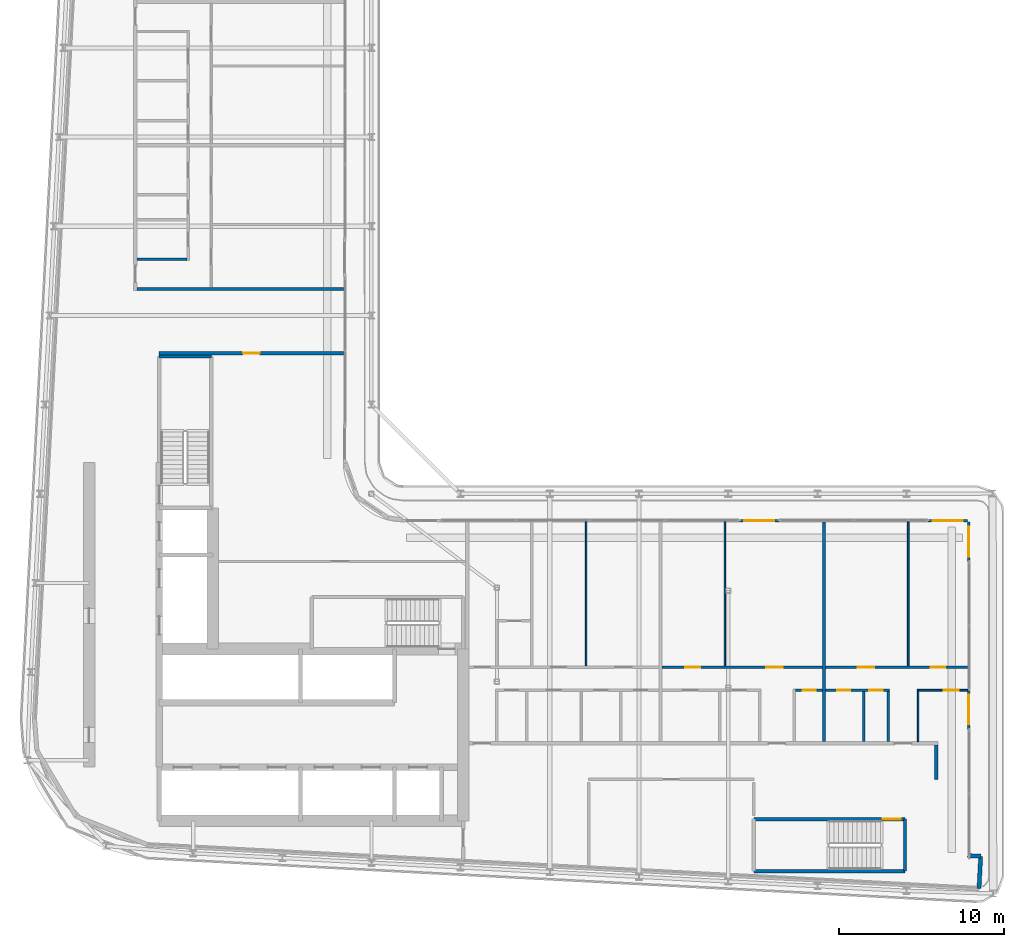
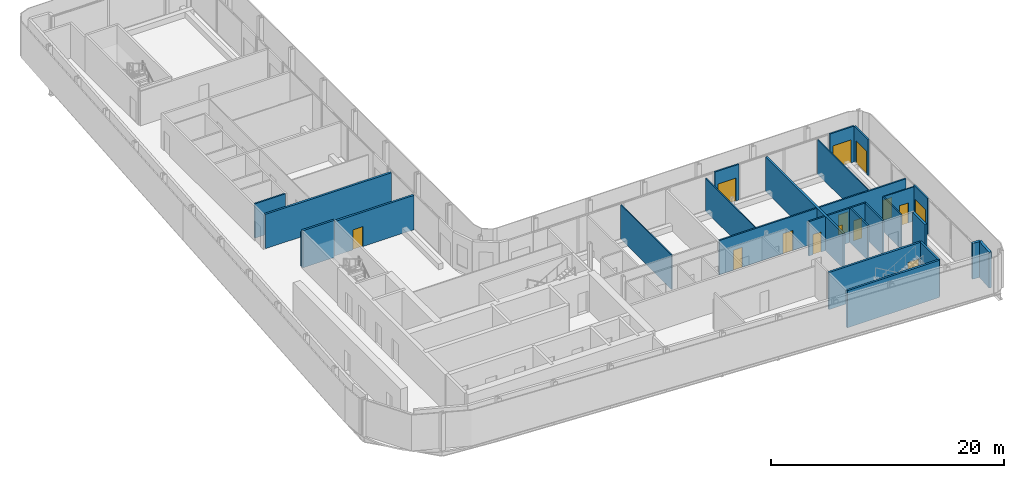
# One storey, part 12 of 21: 26 walls, 14 doors, 14 openings.
"""IFC4 building model written with IfcOpenShell, lengths in metres."""

from ifc_helpers import new_model, si_unit, direction, frame, frame_2d, origin, place, context, subcontext, project, spatial, rectangle, extrude, source, transform, mapped, material, layer, layer_set, type_object, element, fill, save


model = new_model("IFC4")

# Units and contexts
model_context = context("Model", 3, precision=1e-05, world=origin(), true_north=direction((0.0, 1.0)))
body_context = subcontext(model_context, "Body", "Model", "MODEL_VIEW")
ifc_project = project(units=[si_unit("LENGTHUNIT", "METRE"), si_unit("AREAUNIT", "SQUARE_METRE"), si_unit("VOLUMEUNIT", "CUBIC_METRE"), si_unit("PLANEANGLEUNIT", "RADIAN"), si_unit("MASSUNIT", "GRAM", prefix="KILO")], contexts=[model_context])

# Site, building, storey
site_placement = place(None, origin())
site = spatial("IfcSite", under=ifc_project, at=site_placement, CompositionType="ELEMENT")
building_placement = place(site_placement, origin())
building = spatial("IfcBuilding", under=site, at=building_placement, Name="Kheshtan School and Residences Tower", CompositionType="ELEMENT")
storey_placement = place(building_placement, frame((0.0, 0.0, 231.800048828125)))
storey = spatial("IfcBuildingStorey", under=building, at=storey_placement, Name="L54", CompositionType="ELEMENT", Elevation=231.800048828125)

# Wall
ifc_material_1 = material(Name="Gypsum board on steel studs with fire boards", Category="steel")
ifc_layer_1 = layer(ifc_material_1, 0.199951171875)
ifc_layer_set_1 = layer_set([ifc_layer_1], Name="Corridor wall 200")
wall_type_1 = type_object("IfcWallType", Name="Corridor wall 200", PredefinedType="PARTITIONING", material=ifc_layer_set_1)
wall_1_placement = place(storey_placement, frame((33.39990234375, 58.0, 0.0), z_axis=(0.0, 0.0, 1.0), x_axis=(1.0, 0.0, 0.0)))
element("IfcWall", 1, at=wall_1_placement, inside=storey, type_object=wall_type_1, Name="Partition L54-005", PredefinedType="PARTITIONING", context=body_context, shape_type="SweptSolid", body=[
    extrude(rectangle(XDim=12.5, YDim=0.199951171875, at=frame_2d((6.25, 0.0))), origin(), (0.0, 0.0, 1.0), 3.599853515625),
])

# Wall, opening, door
wall_2_placement = place(storey_placement, frame((34.75, 54.10009765625, 0.0), z_axis=(0.0, 0.0, 1.0), x_axis=(1.0, 0.0, 0.0)))
wall_2 = element("IfcWall", 2, at=wall_2_placement, inside=storey, type_object=wall_type_1, Name="Partition L54-014", PredefinedType="PARTITIONING", context=body_context, shape_type="SweptSolid", body=[
    extrude(rectangle(XDim=11.14990234375, YDim=0.199951171875, at=frame_2d((5.574951171875, 0.0))), origin(), (0.0, 0.0, 1.0), 3.599853515625),
])
opening_1_placement = place(wall_2_placement, frame((5.074951171875, 0.0, 0.0)))
opening_1 = element("IfcOpeningElement", 3, at=opening_1_placement, cuts=wall_2, Name="Opening D54-037", PredefinedType="OPENING", context=body_context, shape_type="SweptSolid", body=[
    extrude(rectangle(XDim=1.0, YDim=2.10009765625, at=frame_2d((0.5, 1.050048828125))), frame((0.0, 0.10986328125, 0.0), z_axis=(0.0, -1.0, 0.0), x_axis=(1.0, 0.0, 0.0)), (0.0, 0.0, 1.0), 0.219970703125),
])
ifc_material_2 = material(Name="Steel-framed fire-resisting door leaf", Category="steel")
door_type_1 = type_object("IfcDoorType", Name="Fire door FD60 1000 x 2100", OperationType="SINGLE_SWING_LEFT", PredefinedType="DOOR", material=ifc_material_2)
shared_shape_1 = source(origin(), body_context, "Body", "SweptSolid", [
    extrude(rectangle(XDim=1.0, YDim=2.10009765625, at=frame_2d((0.5, 1.050048828125))), frame((0.0, 0.02490234375, 0.0), z_axis=(0.0, -1.0, 0.0), x_axis=(1.0, 0.0, 0.0)), (0.0, 0.0, 1.0), 0.050048828125),
])
door_1_placement = place(opening_1_placement, origin())
door_1 = element("IfcDoor", 4, at=door_1_placement, inside=storey, type_object=door_type_1, Name="Door D54-037", OperationType="SINGLE_SWING_RIGHT", OverallHeight=2.10009765625, OverallWidth=1.0, PredefinedType="DOOR", context=body_context, shape_type="MappedRepresentation", body=[
    mapped(shared_shape_1, transform((0.0, 0.0, 0.0), x_axis=(1.0, 0.0, 0.0), y_axis=(0.0, 1.0, 0.0), z_axis=(0.0, 0.0, 1.0), scale=1.0)),
])
fill(opening_1, door_1)

# Walls
wall_3_placement = place(storey_placement, frame((81.800048828125, 28.300048828125, 0.0), z_axis=(0.0, 0.0, 1.0), x_axis=(0.0, 1.0, 0.0)))
element("IfcWall", 5, at=wall_3_placement, inside=storey, type_object=wall_type_1, Name="Partition L54-051", PredefinedType="PARTITIONING", context=body_context, shape_type="SweptSolid", body=[
    extrude(rectangle(XDim=2.099853515625, YDim=0.199951171875, at=frame_2d((1.0498046875, 0.0))), origin(), (0.0, 0.0, 1.0), 3.599853515625),
])
ifc_material_3 = material(Name="Concrete C40/50 with ceramic cladding and mineral wool insulation", Category="concrete")
ifc_layer_2 = layer(ifc_material_3, 0.25)
ifc_layer_set_2 = layer_set([ifc_layer_2], Name="External wall 250 ceramic clad")
wall_type_2 = type_object("IfcWallType", Name="External wall 250 ceramic clad", PredefinedType="SOLIDWALL", material=ifc_layer_set_2)
wall_4_placement = place(storey_placement, frame((83.70703125, 23.69189453125, 0.0), z_axis=(0.0, 0.0, 1.0), x_axis=(0.998561284263, -0.053622398031, 0.0)))
element("IfcWall", 6, at=wall_4_placement, inside=storey, type_object=wall_type_2, Name="External wall L54 10", PredefinedType="SOLIDWALL", context=body_context, shape_type="SweptSolid", body=[
    extrude(rectangle(XDim=0.783203125, YDim=0.25, at=frame_2d((0.3916015625, 0.0))), origin(), (0.0, 0.0, 1.0), 3.75),
])
wall_5_placement = place(storey_placement, frame((84.489013671875, 23.64990234375, 0.0), z_axis=(0.0, 0.0, 1.0), x_axis=(-0.052841433274, -0.998602915542, 0.0)))
element("IfcWall", 7, at=wall_5_placement, inside=storey, type_object=wall_type_2, Name="External wall L54 11", PredefinedType="SOLIDWALL", context=body_context, shape_type="SweptSolid", body=[
    extrude(rectangle(XDim=1.94970703125, YDim=0.25, at=frame_2d((0.974853515625, 0.0))), origin(), (0.0, 0.0, 1.0), 3.75),
])

# Wall, opening, door
ifc_material_4 = material(Name="Aluminium frame wall with insulated infill", Category="aluminium")
ifc_layer_3 = layer(ifc_material_4, 0.14990234375)
ifc_layer_set_3 = layer_set([ifc_layer_3], Name="Glazing frame wall 150")
wall_type_3 = type_object("IfcWallType", Name="Glazing frame wall 150", PredefinedType="SOLIDWALL", material=ifc_layer_set_3)
wall_6_placement = place(storey_placement, frame((69.876953125, 43.97509765625, 0.0), z_axis=(0.0, 0.0, 1.0), x_axis=(1.0, 0.0, 0.0)))
wall_6 = element("IfcWall", 8, at=wall_6_placement, inside=storey, type_object=wall_type_3, Name="Balcony door wall L54 8.2", PredefinedType="SOLIDWALL", context=body_context, shape_type="SweptSolid", body=[
    extrude(rectangle(XDim=2.400146484375, YDim=0.14990234375, at=frame_2d((1.2001953125, 0.0))), origin(), (0.0, 0.0, 1.0), 3.75),
])
opening_2_placement = place(wall_6_placement, frame((0.300048828125, 0.0, 0.0)))
opening_2 = element("IfcOpeningElement", 9, at=opening_2_placement, cuts=wall_6, Name="Opening BD", PredefinedType="OPENING", context=body_context, shape_type="SweptSolid", body=[
    extrude(rectangle(XDim=1.800048828125, YDim=2.39990234375, at=frame_2d((0.89990234375, 1.199951171875))), frame((0.0, 0.0849609375, 0.0), z_axis=(0.0, -1.0, 0.0), x_axis=(1.0, 0.0, 0.0)), (0.0, 0.0, 1.0), 0.169921875),
])
ifc_material_5 = material(Name="Clear low-e glass in thermally broken aluminium frame", Category="aluminium")
door_type_2 = type_object("IfcDoorType", Name="Balcony sliding door", OperationType="SLIDING_TO_LEFT", PredefinedType="DOOR", material=ifc_material_5)
shared_shape_2 = source(origin(), body_context, "Body", "SweptSolid", [
    extrude(rectangle(XDim=1.800048828125, YDim=2.39990234375, at=frame_2d((0.89990234375, 1.199951171875))), frame((0.0, 0.02490234375, 0.0), z_axis=(0.0, -1.0, 0.0), x_axis=(1.0, 0.0, 0.0)), (0.0, 0.0, 1.0), 0.050048828125),
])
door_2_placement = place(opening_2_placement, origin())
door_2 = element("IfcDoor", 10, at=door_2_placement, inside=storey, type_object=door_type_2, Name="Balcony door L54 8.2", OperationType="SLIDING_TO_LEFT", OverallHeight=2.39990234375, OverallWidth=1.800048828125, PredefinedType="DOOR", context=body_context, shape_type="MappedRepresentation", body=[
    mapped(shared_shape_2, transform((0.0, 0.0, 0.0), x_axis=(1.0, 0.0, 0.0), y_axis=(0.0, 1.0, 0.0), z_axis=(0.0, 0.0, 1.0), scale=1.0)),
])
fill(opening_2, door_2)

wall_7_placement = place(storey_placement, frame((81.300048828125, 43.97509765625, 0.0), z_axis=(0.0, 0.0, 1.0), x_axis=(1.0, 0.0, 0.0)))
wall_7 = element("IfcWall", 11, at=wall_7_placement, inside=storey, type_object=wall_type_3, Name="Balcony door wall L54 8.3", PredefinedType="SOLIDWALL", context=body_context, shape_type="SweptSolid", body=[
    extrude(rectangle(XDim=2.39990234375, YDim=0.14990234375, at=frame_2d((1.199951171875, 0.0))), origin(), (0.0, 0.0, 1.0), 3.75),
])
opening_3_placement = place(wall_7_placement, frame((0.300048828125, 0.0, 0.0)))
opening_3 = element("IfcOpeningElement", 12, at=opening_3_placement, cuts=wall_7, Name="Opening BD", PredefinedType="OPENING", context=body_context, shape_type="SweptSolid", body=[
    extrude(rectangle(XDim=1.800048828125, YDim=2.39990234375, at=frame_2d((0.89990234375, 1.199951171875))), frame((0.0, 0.0849609375, 0.0), z_axis=(0.0, -1.0, 0.0), x_axis=(1.0, 0.0, 0.0)), (0.0, 0.0, 1.0), 0.169921875),
])
door_3_placement = place(opening_3_placement, origin())
door_3 = element("IfcDoor", 13, at=door_3_placement, inside=storey, type_object=door_type_2, Name="Balcony door L54 8.3", OperationType="SLIDING_TO_LEFT", OverallHeight=2.39990234375, OverallWidth=1.800048828125, PredefinedType="DOOR", context=body_context, shape_type="MappedRepresentation", body=[
    mapped(shared_shape_2, transform((0.0, 0.0, 0.0), x_axis=(1.0, 0.0, 0.0), y_axis=(0.0, 1.0, 0.0), z_axis=(0.0, 0.0, 1.0), scale=1.0)),
])
fill(opening_3, door_3)

wall_8_placement = place(storey_placement, frame((83.77490234375, 43.89990234375, 0.0), z_axis=(0.0, 0.0, 1.0), x_axis=(0.0, -1.0, 0.0)))
wall_8 = element("IfcWall", 14, at=wall_8_placement, inside=storey, type_object=wall_type_3, Name="Balcony door wall L54 9.1", PredefinedType="SOLIDWALL", context=body_context, shape_type="SweptSolid", body=[
    extrude(rectangle(XDim=2.39990234375, YDim=0.14990234375, at=frame_2d((1.199951171875, 0.0))), origin(), (0.0, 0.0, 1.0), 3.75),
])
opening_4_placement = place(wall_8_placement, frame((0.300048828125, 0.0, 0.0)))
opening_4 = element("IfcOpeningElement", 15, at=opening_4_placement, cuts=wall_8, Name="Opening BD", PredefinedType="OPENING", context=body_context, shape_type="SweptSolid", body=[
    extrude(rectangle(XDim=1.800048828125, YDim=2.39990234375, at=frame_2d((0.89990234375, 1.199951171875))), frame((0.0, 0.0849609375, 0.0), z_axis=(0.0, -1.0, 0.0), x_axis=(1.0, 0.0, 0.0)), (0.0, 0.0, 1.0), 0.169921875),
])
door_4_placement = place(opening_4_placement, origin())
door_4 = element("IfcDoor", 16, at=door_4_placement, inside=storey, type_object=door_type_2, Name="Balcony door L54 9.1", OperationType="SLIDING_TO_LEFT", OverallHeight=2.39990234375, OverallWidth=1.800048828125, PredefinedType="DOOR", context=body_context, shape_type="MappedRepresentation", body=[
    mapped(shared_shape_2, transform((0.0, 0.0, 0.0), x_axis=(1.0, 0.0, 0.0), y_axis=(0.0, 1.0, 0.0), z_axis=(0.0, 0.0, 1.0), scale=1.0)),
])
fill(opening_4, door_4)

wall_9_placement = place(storey_placement, frame((83.77490234375, 33.73291015625, 0.0), z_axis=(0.0, 0.0, 1.0), x_axis=(0.0, -1.0, 0.0)))
wall_9 = element("IfcWall", 17, at=wall_9_placement, inside=storey, type_object=wall_type_3, Name="Balcony door wall L54 9.2", PredefinedType="SOLIDWALL", context=body_context, shape_type="SweptSolid", body=[
    extrude(rectangle(XDim=2.39892578125, YDim=0.14990234375, at=frame_2d((1.199462890625, 0.0))), origin(), (0.0, 0.0, 1.0), 3.75),
])
opening_5_placement = place(wall_9_placement, frame((0.300048828125, 0.0, 0.0)))
opening_5 = element("IfcOpeningElement", 18, at=opening_5_placement, cuts=wall_9, Name="Opening BD", PredefinedType="OPENING", context=body_context, shape_type="SweptSolid", body=[
    extrude(rectangle(XDim=1.800048828125, YDim=2.39990234375, at=frame_2d((0.89990234375, 1.199951171875))), frame((0.0, 0.0849609375, 0.0), z_axis=(0.0, -1.0, 0.0), x_axis=(1.0, 0.0, 0.0)), (0.0, 0.0, 1.0), 0.169921875),
])
door_5_placement = place(opening_5_placement, origin())
door_5 = element("IfcDoor", 19, at=door_5_placement, inside=storey, type_object=door_type_2, Name="Balcony door L54 9.2", OperationType="SLIDING_TO_LEFT", OverallHeight=2.39990234375, OverallWidth=1.800048828125, PredefinedType="DOOR", context=body_context, shape_type="MappedRepresentation", body=[
    mapped(shared_shape_2, transform((0.0, 0.0, 0.0), x_axis=(1.0, 0.0, 0.0), y_axis=(0.0, 1.0, 0.0), z_axis=(0.0, 0.0, 1.0), scale=1.0)),
])
fill(opening_5, door_5)

# Walls
ifc_material_6 = material(Name="Gypsum board on steel studs", Category="steel")
ifc_layer_4 = layer(ifc_material_6, 0.10009765625)
ifc_layer_set_4 = layer_set([ifc_layer_4], Name="Gypsum partition 100")
wall_type_4 = type_object("IfcWallType", Name="Gypsum partition 100", PredefinedType="PARTITIONING", material=ifc_layer_set_4)
wall_10_placement = place(storey_placement, frame((60.60009765625, 35.175048828125, 0.0), z_axis=(0.0, 0.0, 1.0), x_axis=(0.0, 1.0, 0.0)))
element("IfcWall", 20, at=wall_10_placement, inside=storey, type_object=wall_type_4, Name="Partition L54-033", PredefinedType="PARTITIONING", context=body_context, shape_type="SweptSolid", body=[
    extrude(rectangle(XDim=8.724853515625, YDim=0.10009765625, at=frame_2d((4.3623046875, 0.0))), origin(), (0.0, 0.0, 1.0), 3.599853515625),
])
wall_11_placement = place(storey_placement, frame((69.0, 35.175048828125, 0.0), z_axis=(0.0, 0.0, 1.0), x_axis=(0.0, 1.0, 0.0)))
element("IfcWall", 21, at=wall_11_placement, inside=storey, type_object=wall_type_4, Name="Partition L54-039", PredefinedType="PARTITIONING", context=body_context, shape_type="SweptSolid", body=[
    extrude(rectangle(XDim=8.724853515625, YDim=0.10009765625, at=frame_2d((4.3623046875, 0.0))), origin(), (0.0, 0.0, 1.0), 3.447021484375),
])
wall_12_placement = place(storey_placement, frame((80.10009765625, 35.175048828125, 0.0), z_axis=(0.0, 0.0, 1.0), x_axis=(0.0, 1.0, 0.0)))
element("IfcWall", 22, at=wall_12_placement, inside=storey, type_object=wall_type_4, Name="Partition L54-048", PredefinedType="PARTITIONING", context=body_context, shape_type="SweptSolid", body=[
    extrude(rectangle(XDim=8.724853515625, YDim=0.10009765625, at=frame_2d((4.3623046875, 0.0))), origin(), (0.0, 0.0, 1.0), 3.599853515625),
])
wall_13_placement = place(storey_placement, frame((80.699951171875, 30.60009765625, 0.0), z_axis=(0.0, 0.0, 1.0), x_axis=(0.0, 1.0, 0.0)))
element("IfcWall", 23, at=wall_13_placement, inside=storey, type_object=wall_type_4, Name="Partition L54-049", PredefinedType="PARTITIONING", context=body_context, shape_type="SweptSolid", body=[
    extrude(rectangle(XDim=3.14990234375, YDim=0.10009765625, at=frame_2d((1.574951171875, 0.0))), origin(), (0.0, 0.0, 1.0), 3.599853515625),
])

# Wall, opening, door
wall_14_placement = place(storey_placement, frame((80.75, 33.699951171875, 0.0), z_axis=(0.0, 0.0, 1.0), x_axis=(1.0, 0.0, 0.0)))
wall_14 = element("IfcWall", 24, at=wall_14_placement, inside=storey, type_object=wall_type_4, Name="Partition L54-050", PredefinedType="PARTITIONING", context=body_context, shape_type="SweptSolid", body=[
    extrude(rectangle(XDim=2.949951171875, YDim=0.10009765625, at=frame_2d((1.47509765625, 0.0))), origin(), (0.0, 0.0, 1.0), 3.599853515625),
])
opening_6_placement = place(wall_14_placement, frame((1.5, 0.0, 0.0)))
opening_6 = element("IfcOpeningElement", 25, at=opening_6_placement, cuts=wall_14, Name="Opening D54-019", PredefinedType="OPENING", context=body_context, shape_type="SweptSolid", body=[
    extrude(rectangle(XDim=0.89990234375, YDim=2.10009765625, at=frame_2d((0.449951171875, 1.050048828125))), frame((0.0, 0.06005859375, 0.0), z_axis=(0.0, -1.0, 0.0), x_axis=(1.0, 0.0, 0.0)), (0.0, 0.0, 1.0), 0.1201171875),
])
ifc_material_7 = material(Name="Veneered timber door leaf", Category="wood")
door_type_3 = type_object("IfcDoorType", Name="Door 900 x 2100", OperationType="SINGLE_SWING_LEFT", PredefinedType="DOOR", material=ifc_material_7)
shared_shape_3 = source(origin(), body_context, "Body", "SweptSolid", [
    extrude(rectangle(XDim=0.89990234375, YDim=2.10009765625, at=frame_2d((0.449951171875, 1.050048828125))), frame((0.0, 0.02490234375, 0.0), z_axis=(0.0, -1.0, 0.0), x_axis=(1.0, 0.0, 0.0)), (0.0, 0.0, 1.0), 0.050048828125),
])
door_6_placement = place(opening_6_placement, origin())
door_6 = element("IfcDoor", 26, at=door_6_placement, inside=storey, type_object=door_type_3, Name="Door D54-019", OperationType="SINGLE_SWING_LEFT", OverallHeight=2.10009765625, OverallWidth=0.89990234375, PredefinedType="DOOR", context=body_context, shape_type="MappedRepresentation", body=[
    mapped(shared_shape_3, transform((0.0, 0.0, 0.0), x_axis=(1.0, 0.0, 0.0), y_axis=(0.0, 1.0, 0.0), z_axis=(0.0, 0.0, 1.0), scale=1.0)),
])
fill(opening_6, door_6)

# Walls
ifc_material_8 = material(Name="Concrete C40/50", Category="concrete")
ifc_layer_5 = layer(ifc_material_8, 0.199951171875)
ifc_layer_set_5 = layer_set([ifc_layer_5], Name="Stair enclosure wall 200 Concrete C40/50")
wall_type_5 = type_object("IfcWallType", Name="Stair enclosure wall 200 Concrete C40/50", PredefinedType="SHEAR", material=ifc_layer_set_5)
wall_15_placement = place(storey_placement, frame((34.75, 53.909912109375, 0.0), z_axis=(0.0, 0.0, 1.0), x_axis=(1.0, 0.0, 0.0)))
element("IfcWall", 27, at=wall_15_placement, inside=storey, type_object=wall_type_5, Name="Stair enclosure wall ST2", PredefinedType="SHEAR", context=body_context, shape_type="SweptSolid", body=[
    extrude(rectangle(XDim=3.14990234375, YDim=0.199951171875, at=frame_2d((1.574951171875, 0.0))), origin(), (0.0, 0.0, 1.0), 3.89990234375),
])
wall_16_placement = place(storey_placement, frame((70.75, 22.75, 0.0), z_axis=(0.0, 0.0, 1.0), x_axis=(1.0, 0.0, 0.0)))
element("IfcWall", 28, at=wall_16_placement, inside=storey, type_object=wall_type_5, Name="Stair enclosure wall ST5", PredefinedType="SHEAR", context=body_context, shape_type="SweptSolid", body=[
    extrude(rectangle(XDim=9.159912109375, YDim=0.199951171875, at=frame_2d((4.580078125, 0.0))), origin(), (0.0, 0.0, 1.0), 3.89990234375),
])

# Wall, opening, door
wall_17_placement = place(storey_placement, frame((70.75, 25.89990234375, 0.0), z_axis=(0.0, 0.0, 1.0), x_axis=(1.0, 0.0, 0.0)))
wall_17 = element("IfcWall", 29, at=wall_17_placement, inside=storey, type_object=wall_type_5, Name="Stair enclosure wall ST5", PredefinedType="SHEAR", context=body_context, shape_type="SweptSolid", body=[
    extrude(rectangle(XDim=9.159912109375, YDim=0.199951171875, at=frame_2d((4.580078125, 0.0))), origin(), (0.0, 0.0, 1.0), 3.89990234375),
])
opening_7_placement = place(wall_17_placement, frame((7.81005859375, 0.0, 0.0)))
opening_7 = element("IfcOpeningElement", 30, at=opening_7_placement, cuts=wall_17, Name="Opening ST5D", PredefinedType="OPENING", context=body_context, shape_type="SweptSolid", body=[
    extrude(rectangle(XDim=1.10009765625, YDim=2.199951171875, at=frame_2d((0.550048828125, 1.10009765625))), frame((0.0, 0.10986328125, 0.0), z_axis=(0.0, -1.0, 0.0), x_axis=(1.0, 0.0, 0.0)), (0.0, 0.0, 1.0), 0.219970703125),
])
ifc_material_9 = material(Name="Steel door leaf, galvanised", Category="steel")
door_type_4 = type_object("IfcDoorType", Name="Stair door 1100 steel 90 min", OperationType="SINGLE_SWING_LEFT", PredefinedType="DOOR", material=ifc_material_9)
shared_shape_4 = source(origin(), body_context, "Body", "SweptSolid", [
    extrude(rectangle(XDim=1.10009765625, YDim=2.199951171875, at=frame_2d((0.550048828125, 1.10009765625))), frame((0.0, 0.02490234375, 0.0), z_axis=(0.0, -1.0, 0.0), x_axis=(1.0, 0.0, 0.0)), (0.0, 0.0, 1.0), 0.050048828125),
])
door_7_placement = place(opening_7_placement, origin())
door_7 = element("IfcDoor", 31, at=door_7_placement, inside=storey, type_object=door_type_4, Name="Stair ST5 door", OperationType="SINGLE_SWING_LEFT", OverallHeight=2.199951171875, OverallWidth=1.10009765625, PredefinedType="DOOR", context=body_context, shape_type="MappedRepresentation", body=[
    mapped(shared_shape_4, transform((0.0, 0.0, 0.0), x_axis=(1.0, 0.0, 0.0), y_axis=(0.0, 1.0, 0.0), z_axis=(0.0, 0.0, 1.0), scale=1.0)),
])
fill(opening_7, door_7)

# Walls
wall_18_placement = place(storey_placement, frame((79.909912109375, 22.75, 0.0), z_axis=(0.0, 0.0, 1.0), x_axis=(0.0, 1.0, 0.0)))
element("IfcWall", 32, at=wall_18_placement, inside=storey, type_object=wall_type_5, Name="Stair enclosure wall ST5", PredefinedType="SHEAR", context=body_context, shape_type="SweptSolid", body=[
    extrude(rectangle(XDim=3.14990234375, YDim=0.199951171875, at=frame_2d((1.574951171875, 0.0))), origin(), (0.0, 0.0, 1.0), 3.89990234375),
])
ifc_material_10 = material(Name="Twin gypsum board on steel studs with mineral wool", Category="steel")
ifc_layer_6 = layer(ifc_material_10, 0.199951171875)
ifc_layer_set_6 = layer_set([ifc_layer_6], Name="Unit demising wall 200")
wall_type_6 = type_object("IfcWallType", Name="Unit demising wall 200", PredefinedType="PARTITIONING", material=ifc_layer_set_6)
wall_19_placement = place(storey_placement, frame((75.0, 30.60009765625, 0.0), z_axis=(0.0, 0.0, 1.0), x_axis=(0.0, 1.0, 0.0)))
element("IfcWall", 33, at=wall_19_placement, inside=storey, type_object=wall_type_6, Name="Partition L54-043", PredefinedType="PARTITIONING", context=body_context, shape_type="SweptSolid", body=[
    extrude(rectangle(XDim=13.2998046875, YDim=0.199951171875, at=frame_2d((6.64990234375, 0.0))), origin(), (0.0, 0.0, 1.0), 3.599853515625),
])
ifc_material_11 = material(Name="Moisture-resistant gypsum board on steel studs", Category="steel")
ifc_layer_7 = layer(ifc_material_11, 0.14990234375)
ifc_layer_set_7 = layer_set([ifc_layer_7], Name="Wet-room partition 150")
wall_type_7 = type_object("IfcWallType", Name="Wet-room partition 150", PredefinedType="PARTITIONING", material=ifc_layer_set_7)
wall_20_placement = place(storey_placement, frame((33.39990234375, 59.800048828125, 0.0), z_axis=(0.0, 0.0, 1.0), x_axis=(1.0, 0.0, 0.0)))
element("IfcWall", 34, at=wall_20_placement, inside=storey, type_object=wall_type_7, Name="Partition L54-006", PredefinedType="PARTITIONING", context=body_context, shape_type="SweptSolid", body=[
    extrude(rectangle(XDim=3.025146484375, YDim=0.14990234375, at=frame_2d((1.5126953125, 0.0))), origin(), (0.0, 0.0, 1.0), 3.599853515625),
])

# Wall, openings, doors
wall_21_placement = place(storey_placement, frame((65.199951171875, 35.10009765625, 0.0), z_axis=(0.0, 0.0, 1.0), x_axis=(1.0, 0.0, 0.0)))
wall_21 = element("IfcWall", 35, at=wall_21_placement, inside=storey, type_object=wall_type_7, Name="Partition L54-037", PredefinedType="PARTITIONING", context=body_context, shape_type="SweptSolid", body=[
    extrude(rectangle(XDim=9.699951171875, YDim=0.14990234375, at=frame_2d((4.85009765625, 0.0))), origin(), (0.0, 0.0, 1.0), 3.599853515625),
])
opening_8_placement = place(wall_21_placement, frame((1.39990234375, 0.0, 0.0)))
opening_8 = element("IfcOpeningElement", 36, at=opening_8_placement, cuts=wall_21, Name="Opening D54-011", PredefinedType="OPENING", context=body_context, shape_type="SweptSolid", body=[
    extrude(rectangle(XDim=0.89990234375, YDim=2.10009765625, at=frame_2d((0.449951171875, 1.050048828125))), frame((0.0, 0.0849609375, 0.0), z_axis=(0.0, -1.0, 0.0), x_axis=(1.0, 0.0, 0.0)), (0.0, 0.0, 1.0), 0.169921875),
])
opening_9_placement = place(wall_21_placement, frame((6.300048828125, 0.0, 0.0)))
opening_9 = element("IfcOpeningElement", 37, at=opening_9_placement, cuts=wall_21, Name="Opening D54-014", PredefinedType="OPENING", context=body_context, shape_type="SweptSolid", body=[
    extrude(rectangle(XDim=1.0, YDim=2.10009765625, at=frame_2d((0.5, 1.050048828125))), frame((0.0, 0.0849609375, 0.0), z_axis=(0.0, -1.0, 0.0), x_axis=(1.0, 0.0, 0.0)), (0.0, 0.0, 1.0), 0.169921875),
])
door_type_5 = type_object("IfcDoorType", Name="Door 1000 x 2100", OperationType="SINGLE_SWING_LEFT", PredefinedType="DOOR", material=ifc_material_7)
shared_shape_5 = source(origin(), body_context, "Body", "SweptSolid", [
    extrude(rectangle(XDim=1.0, YDim=2.10009765625, at=frame_2d((0.5, 1.050048828125))), frame((0.0, 0.02490234375, 0.0), z_axis=(0.0, -1.0, 0.0), x_axis=(1.0, 0.0, 0.0)), (0.0, 0.0, 1.0), 0.050048828125),
])
door_8_placement = place(opening_9_placement, origin())
door_8 = element("IfcDoor", 38, at=door_8_placement, inside=storey, type_object=door_type_5, Name="Door D54-014", OperationType="SINGLE_SWING_RIGHT", OverallHeight=2.10009765625, OverallWidth=1.0, PredefinedType="DOOR", context=body_context, shape_type="MappedRepresentation", body=[
    mapped(shared_shape_5, transform((0.0, 0.0, 0.0), x_axis=(1.0, 0.0, 0.0), y_axis=(0.0, 1.0, 0.0), z_axis=(0.0, 0.0, 1.0), scale=1.0)),
])
fill(opening_9, door_8)
door_9_placement = place(opening_8_placement, origin())
door_9 = element("IfcDoor", 39, at=door_9_placement, inside=storey, type_object=door_type_3, Name="Door D54-011", OperationType="SINGLE_SWING_RIGHT", OverallHeight=2.10009765625, OverallWidth=0.89990234375, PredefinedType="DOOR", context=body_context, shape_type="MappedRepresentation", body=[
    mapped(shared_shape_3, transform((0.0, 0.0, 0.0), x_axis=(1.0, 0.0, 0.0), y_axis=(0.0, 1.0, 0.0), z_axis=(0.0, 0.0, 1.0), scale=1.0)),
])
fill(opening_8, door_9)

# Wall, opening, door
wall_22_placement = place(storey_placement, frame((73.27490234375, 33.699951171875, 0.0), z_axis=(0.0, 0.0, 1.0), x_axis=(1.0, 0.0, 0.0)))
wall_22 = element("IfcWall", 40, at=wall_22_placement, inside=storey, type_object=wall_type_7, Name="Partition L54-042", PredefinedType="PARTITIONING", context=body_context, shape_type="SweptSolid", body=[
    extrude(rectangle(XDim=1.625, YDim=0.14990234375, at=frame_2d((0.8125, 0.0))), origin(), (0.0, 0.0, 1.0), 3.599853515625),
])
opening_10_placement = place(wall_22_placement, frame((0.425048828125, 0.0, 0.0)))
opening_10 = element("IfcOpeningElement", 41, at=opening_10_placement, cuts=wall_22, Name="Opening D54-015", PredefinedType="OPENING", context=body_context, shape_type="SweptSolid", body=[
    extrude(rectangle(XDim=0.800048828125, YDim=2.10009765625, at=frame_2d((0.39990234375, 1.050048828125))), frame((0.0, 0.0849609375, 0.0), z_axis=(0.0, -1.0, 0.0), x_axis=(1.0, 0.0, 0.0)), (0.0, 0.0, 1.0), 0.169921875),
])
door_type_6 = type_object("IfcDoorType", Name="Door 800 x 2100", OperationType="SINGLE_SWING_LEFT", PredefinedType="DOOR", material=ifc_material_7)
shared_shape_6 = source(origin(), body_context, "Body", "SweptSolid", [
    extrude(rectangle(XDim=0.800048828125, YDim=2.10009765625, at=frame_2d((0.39990234375, 1.050048828125))), frame((0.0, 0.02490234375, 0.0), z_axis=(0.0, -1.0, 0.0), x_axis=(1.0, 0.0, 0.0)), (0.0, 0.0, 1.0), 0.050048828125),
])
door_10_placement = place(opening_10_placement, origin())
door_10 = element("IfcDoor", 42, at=door_10_placement, inside=storey, type_object=door_type_6, Name="Door D54-015", OperationType="SINGLE_SWING_LEFT", OverallHeight=2.10009765625, OverallWidth=0.800048828125, PredefinedType="DOOR", context=body_context, shape_type="MappedRepresentation", body=[
    mapped(shared_shape_6, transform((0.0, 0.0, 0.0), x_axis=(1.0, 0.0, 0.0), y_axis=(0.0, 1.0, 0.0), z_axis=(0.0, 0.0, 1.0), scale=1.0)),
])
fill(opening_10, door_10)

# Wall, openings, doors
wall_23_placement = place(storey_placement, frame((75.10009765625, 33.699951171875, 0.0), z_axis=(0.0, 0.0, 1.0), x_axis=(1.0, 0.0, 0.0)))
wall_23 = element("IfcWall", 43, at=wall_23_placement, inside=storey, type_object=wall_type_7, Name="Partition L54-044", PredefinedType="PARTITIONING", context=body_context, shape_type="SweptSolid", body=[
    extrude(rectangle(XDim=3.875, YDim=0.14990234375, at=frame_2d((1.9375, 0.0))), origin(), (0.0, 0.0, 1.0), 3.599853515625),
])
opening_11_placement = place(wall_23_placement, frame((0.699951171875, 0.0, 0.0)))
opening_11 = element("IfcOpeningElement", 44, at=opening_11_placement, cuts=wall_23, Name="Opening D54-016", PredefinedType="OPENING", context=body_context, shape_type="SweptSolid", body=[
    extrude(rectangle(XDim=0.800048828125, YDim=2.10009765625, at=frame_2d((0.39990234375, 1.050048828125))), frame((0.0, 0.0849609375, 0.0), z_axis=(0.0, -1.0, 0.0), x_axis=(1.0, 0.0, 0.0)), (0.0, 0.0, 1.0), 0.169921875),
])
opening_12_placement = place(wall_23_placement, frame((2.64990234375, 0.0, 0.0)))
opening_12 = element("IfcOpeningElement", 45, at=opening_12_placement, cuts=wall_23, Name="Opening D54-021", PredefinedType="OPENING", context=body_context, shape_type="SweptSolid", body=[
    extrude(rectangle(XDim=0.800048828125, YDim=2.10009765625, at=frame_2d((0.39990234375, 1.050048828125))), frame((0.0, 0.0849609375, 0.0), z_axis=(0.0, -1.0, 0.0), x_axis=(1.0, 0.0, 0.0)), (0.0, 0.0, 1.0), 0.169921875),
])
door_11_placement = place(opening_11_placement, origin())
door_11 = element("IfcDoor", 46, at=door_11_placement, inside=storey, type_object=door_type_6, Name="Door D54-016", OperationType="SINGLE_SWING_RIGHT", OverallHeight=2.10009765625, OverallWidth=0.800048828125, PredefinedType="DOOR", context=body_context, shape_type="MappedRepresentation", body=[
    mapped(shared_shape_6, transform((0.0, 0.0, 0.0), x_axis=(1.0, 0.0, 0.0), y_axis=(0.0, 1.0, 0.0), z_axis=(0.0, 0.0, 1.0), scale=1.0)),
])
fill(opening_11, door_11)
door_12_placement = place(opening_12_placement, origin())
door_12 = element("IfcDoor", 47, at=door_12_placement, inside=storey, type_object=door_type_6, Name="Door D54-021", OperationType="SINGLE_SWING_LEFT", OverallHeight=2.10009765625, OverallWidth=0.800048828125, PredefinedType="DOOR", context=body_context, shape_type="MappedRepresentation", body=[
    mapped(shared_shape_6, transform((0.0, 0.0, 0.0), x_axis=(1.0, 0.0, 0.0), y_axis=(0.0, 1.0, 0.0), z_axis=(0.0, 0.0, 1.0), scale=1.0)),
])
fill(opening_12, door_12)

wall_24_placement = place(storey_placement, frame((75.10009765625, 35.10009765625, 0.0), z_axis=(0.0, 0.0, 1.0), x_axis=(1.0, 0.0, 0.0)))
wall_24 = element("IfcWall", 48, at=wall_24_placement, inside=storey, type_object=wall_type_7, Name="Partition L54-045", PredefinedType="PARTITIONING", context=body_context, shape_type="SweptSolid", body=[
    extrude(rectangle(XDim=8.599853515625, YDim=0.14990234375, at=frame_2d((4.2998046875, 0.0))), origin(), (0.0, 0.0, 1.0), 3.599853515625),
])
opening_13_placement = place(wall_24_placement, frame((6.35009765625, 0.0, 0.0)))
opening_13 = element("IfcOpeningElement", 49, at=opening_13_placement, cuts=wall_24, Name="Opening D54-017", PredefinedType="OPENING", context=body_context, shape_type="SweptSolid", body=[
    extrude(rectangle(XDim=0.89990234375, YDim=2.10009765625, at=frame_2d((0.449951171875, 1.050048828125))), frame((0.0, 0.0849609375, 0.0), z_axis=(0.0, -1.0, 0.0), x_axis=(1.0, 0.0, 0.0)), (0.0, 0.0, 1.0), 0.169921875),
])
opening_14_placement = place(wall_24_placement, frame((1.949951171875, 0.0, 0.0)))
opening_14 = element("IfcOpeningElement", 50, at=opening_14_placement, cuts=wall_24, Name="Opening D54-020", PredefinedType="OPENING", context=body_context, shape_type="SweptSolid", body=[
    extrude(rectangle(XDim=1.0, YDim=2.10009765625, at=frame_2d((0.5, 1.050048828125))), frame((0.0, 0.0849609375, 0.0), z_axis=(0.0, -1.0, 0.0), x_axis=(1.0, 0.0, 0.0)), (0.0, 0.0, 1.0), 0.169921875),
])
door_13_placement = place(opening_14_placement, origin())
door_13 = element("IfcDoor", 51, at=door_13_placement, inside=storey, type_object=door_type_5, Name="Door D54-020", OperationType="SINGLE_SWING_LEFT", OverallHeight=2.10009765625, OverallWidth=1.0, PredefinedType="DOOR", context=body_context, shape_type="MappedRepresentation", body=[
    mapped(shared_shape_5, transform((0.0, 0.0, 0.0), x_axis=(1.0, 0.0, 0.0), y_axis=(0.0, 1.0, 0.0), z_axis=(0.0, 0.0, 1.0), scale=1.0)),
])
fill(opening_14, door_13)
door_14_placement = place(opening_13_placement, origin())
door_14 = element("IfcDoor", 52, at=door_14_placement, inside=storey, type_object=door_type_3, Name="Door D54-017", OperationType="SINGLE_SWING_LEFT", OverallHeight=2.10009765625, OverallWidth=0.89990234375, PredefinedType="DOOR", context=body_context, shape_type="MappedRepresentation", body=[
    mapped(shared_shape_3, transform((0.0, 0.0, 0.0), x_axis=(1.0, 0.0, 0.0), y_axis=(0.0, 1.0, 0.0), z_axis=(0.0, 0.0, 1.0), scale=1.0)),
])
fill(opening_13, door_14)

# Walls
for number, where, z_axis, x_axis, name in (
    (53, (77.39990234375, 30.60009765625, 0.0), (0.0, 0.0, 1.0), (0.0, 1.0, 0.0), "Partition L54-046"),
    (54, (78.89990234375, 30.60009765625, 0.0), (0.0, 0.0, 1.0), (0.0, 1.0, 0.0), "Partition L54-047"),
):
    element("IfcWall", number, at=place(storey_placement, frame(where, z_axis=z_axis, x_axis=x_axis)), inside=storey, type_object=wall_type_7, Name=name, PredefinedType="PARTITIONING", context=body_context, shape_type="SweptSolid", body=[
        extrude(rectangle(XDim=3.02490234375, YDim=0.14990234375, at=frame_2d((1.512451171875, 0.0))), origin(), (0.0, 0.0, 1.0), 3.599853515625),
    ])

save(model, "model.ifc")
